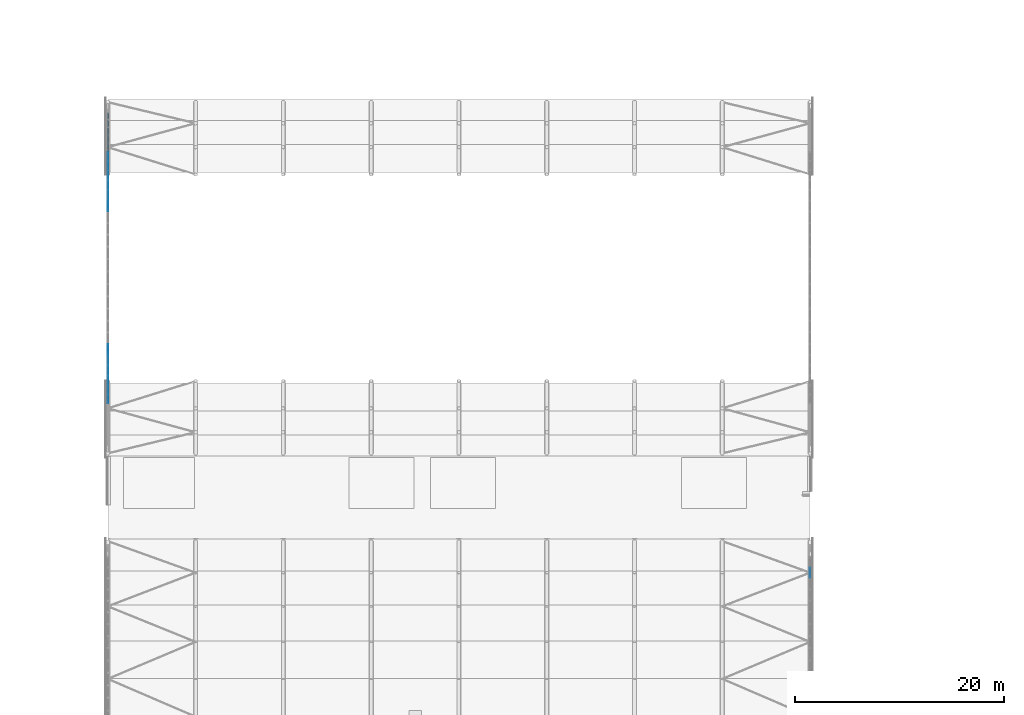
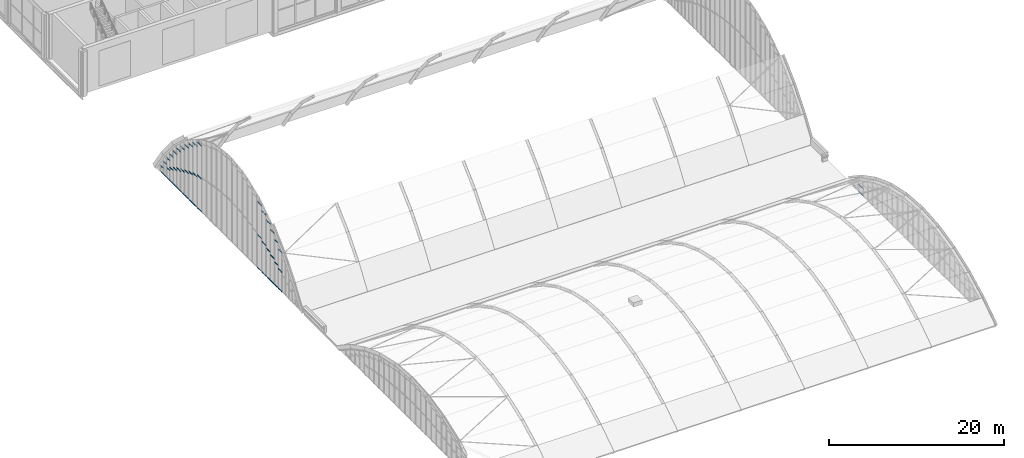
# One storey, part 47 of 77: 51 members, 2 elements without a shape of their own.
"""IFC4 building model written with IfcOpenShell, lengths in metres."""

from ifc_helpers import new_model, si_unit, direction, frame, origin, origin_2d, place, context, subcontext, project, spatial, hollow_rectangle, extrude, material, material_profile, profile_set, type_object, element, aggregate, save


model = new_model("IFC4")

# Units and contexts
model_context = context("Model", 3, precision=1e-05, world=origin(), true_north=direction((0.0, 1.0)))
body_context = subcontext(model_context, "Body", "Model", "MODEL_VIEW")
ifc_project = project(units=[si_unit("LENGTHUNIT", "METRE"), si_unit("AREAUNIT", "SQUARE_METRE"), si_unit("VOLUMEUNIT", "CUBIC_METRE"), si_unit("PLANEANGLEUNIT", "RADIAN"), si_unit("MASSUNIT", "GRAM", prefix="KILO")], contexts=[model_context])

# Site, building, storey
site_placement = place(None, origin())
site = spatial("IfcSite", under=ifc_project, at=site_placement, CompositionType="ELEMENT")
building_placement = place(site_placement, origin())
building = spatial("IfcBuilding", under=site, at=building_placement, Name="Catenary Quay Ferry Terminal", CompositionType="ELEMENT")
storey_placement = place(building_placement, frame((0.0, 0.0, 10.800048828125)))
storey = spatial("IfcBuildingStorey", under=building, at=storey_placement, Name="L02", CompositionType="ELEMENT", Elevation=10.800048828125)

# Curtain wall, members
ifc_material_1 = material(Name="Aluminium and glass", Category="aluminium")
curtain_wall_type = type_object("IfcCurtainWallType", Name="CWA", PredefinedType="NOTDEFINED", material=ifc_material_1)
curtain_wall_1_placement = place(storey_placement, origin())
curtain_wall_1 = element("IfcCurtainWall", 1, at=curtain_wall_1_placement, inside=storey, type_object=curtain_wall_type, Name="Arch arrivals hall curtain wall CW12", PredefinedType="NOTDEFINED")
ifc_material_2 = material(Name="Aluminium", Category="aluminium")
ifc_material_profile = material_profile(ifc_material_2, hollow_rectangle(XDim=0.050048828125, YDim=0.10009765625, WallThickness=0.00390625, at=origin_2d()), Name="TR4")
ifc_profile_set = profile_set([ifc_material_profile], Name="Aluminium")
member_type = type_object("IfcMemberType", Name="TR4", PredefinedType="USERDEFINED", material=ifc_profile_set)
member_1_placement = place(storey_placement, frame((92.39990234375, 97.275390625, 0.050048828125), z_axis=(0.0, 1.0, 0.0), x_axis=(-1.0, 0.0, 0.0)))
member_1 = element("IfcMember", 2, at=member_1_placement, type_object=member_type, Name="CW12 transom 26.1", ObjectType="TRANSOM", PredefinedType="USERDEFINED", context=body_context, shape_type="SweptSolid", body=[
    extrude(hollow_rectangle(XDim=0.050048828125, YDim=0.10009765625, WallThickness=0.00390625, at=origin_2d()), origin(), (0.0, 0.0, 1.0), 0.9794921875),
])
member_2_placement = place(storey_placement, frame((92.39990234375, 97.275390625, 1.0673828125), z_axis=(0.0, 1.0, 0.0), x_axis=(-1.0, 0.0, 0.0)))
member_2 = element("IfcMember", 3, at=member_2_placement, type_object=member_type, Name="CW12 transom 26.2", ObjectType="TRANSOM", PredefinedType="USERDEFINED", context=body_context, shape_type="SweptSolid", body=[
    extrude(hollow_rectangle(XDim=0.050048828125, YDim=0.10009765625, WallThickness=0.00390625, at=origin_2d()), origin(), (0.0, 0.0, 1.0), 0.9794921875),
])
aggregate(curtain_wall_1, [member_1, member_2])

curtain_wall_2_placement = place(storey_placement, origin())
curtain_wall_2 = element("IfcCurtainWall", 4, at=curtain_wall_2_placement, inside=storey, type_object=curtain_wall_type, Name="Arch departure hall curtain wall CW17", PredefinedType="NOTDEFINED")
member_3_placement = place(storey_placement, frame((25.199951171875, 113.973388671875, 0.050048828125), z_axis=(0.0, 1.0, 0.0), x_axis=(-1.0, 0.0, 0.0)))
member_3 = element("IfcMember", 5, at=member_3_placement, type_object=member_type, Name="CW17 transom 6.1", ObjectType="TRANSOM", PredefinedType="USERDEFINED", context=body_context, shape_type="SweptSolid", body=[
    extrude(hollow_rectangle(XDim=0.050048828125, YDim=0.10009765625, WallThickness=0.00390625, at=origin_2d()), origin(), (0.0, 0.0, 1.0), 0.813232421875),
])
member_4_placement = place(storey_placement, frame((25.199951171875, 113.973388671875, 2.7919921875), z_axis=(0.0, 1.0, 0.0), x_axis=(-1.0, 0.0, 0.0)))
member_4 = element("IfcMember", 6, at=member_4_placement, type_object=member_type, Name="CW17 transom 6.2", ObjectType="TRANSOM", PredefinedType="USERDEFINED", context=body_context, shape_type="SweptSolid", body=[
    extrude(hollow_rectangle(XDim=0.050048828125, YDim=0.10009765625, WallThickness=0.00390625, at=origin_2d()), origin(), (0.0, 0.0, 1.0), 0.813232421875),
])
member_5_placement = place(storey_placement, frame((25.199951171875, 113.973388671875, 5.5341796875), z_axis=(0.0, 1.0, 0.0), x_axis=(-1.0, 0.0, 0.0)))
member_5 = element("IfcMember", 7, at=member_5_placement, type_object=member_type, Name="CW17 transom 6.3", ObjectType="TRANSOM", PredefinedType="USERDEFINED", context=body_context, shape_type="SweptSolid", body=[
    extrude(hollow_rectangle(XDim=0.050048828125, YDim=0.10009765625, WallThickness=0.00390625, at=origin_2d()), origin(), (0.0, 0.0, 1.0), 0.813232421875),
])
member_6_placement = place(storey_placement, frame((25.199951171875, 114.846435546875, 0.050048828125), z_axis=(0.0, 1.0, 0.0), x_axis=(-1.0, 0.0, 0.0)))
member_6 = element("IfcMember", 8, at=member_6_placement, type_object=member_type, Name="CW17 transom 7.1", ObjectType="TRANSOM", PredefinedType="USERDEFINED", context=body_context, shape_type="SweptSolid", body=[
    extrude(hollow_rectangle(XDim=0.050048828125, YDim=0.10009765625, WallThickness=0.00390625, at=origin_2d()), origin(), (0.0, 0.0, 1.0), 0.81298828125),
])
member_7_placement = place(storey_placement, frame((25.199951171875, 114.846435546875, 3.201171875), z_axis=(0.0, 1.0, 0.0), x_axis=(-1.0, 0.0, 0.0)))
member_7 = element("IfcMember", 9, at=member_7_placement, type_object=member_type, Name="CW17 transom 7.2", ObjectType="TRANSOM", PredefinedType="USERDEFINED", context=body_context, shape_type="SweptSolid", body=[
    extrude(hollow_rectangle(XDim=0.050048828125, YDim=0.10009765625, WallThickness=0.00390625, at=origin_2d()), origin(), (0.0, 0.0, 1.0), 0.81298828125),
])
member_8_placement = place(storey_placement, frame((25.199951171875, 114.846435546875, 6.3525390625), z_axis=(0.0, 1.0, 0.0), x_axis=(-1.0, 0.0, 0.0)))
member_8 = element("IfcMember", 10, at=member_8_placement, type_object=member_type, Name="CW17 transom 7.3", ObjectType="TRANSOM", PredefinedType="USERDEFINED", context=body_context, shape_type="SweptSolid", body=[
    extrude(hollow_rectangle(XDim=0.050048828125, YDim=0.10009765625, WallThickness=0.00390625, at=origin_2d()), origin(), (0.0, 0.0, 1.0), 0.81298828125),
])
member_9_placement = place(storey_placement, frame((25.199951171875, 115.719482421875, 0.050048828125), z_axis=(0.0, 1.0, 0.0), x_axis=(-1.0, 0.0, 0.0)))
member_9 = element("IfcMember", 11, at=member_9_placement, type_object=member_type, Name="CW17 transom 8.1", ObjectType="TRANSOM", PredefinedType="USERDEFINED", context=body_context, shape_type="SweptSolid", body=[
    extrude(hollow_rectangle(XDim=0.050048828125, YDim=0.10009765625, WallThickness=0.00390625, at=origin_2d()), origin(), (0.0, 0.0, 1.0), 0.873779296875),
])
member_10_placement = place(storey_placement, frame((25.199951171875, 115.719482421875, 3.6103515625), z_axis=(0.0, 1.0, 0.0), x_axis=(-1.0, 0.0, 0.0)))
member_10 = element("IfcMember", 12, at=member_10_placement, type_object=member_type, Name="CW17 transom 8.2", ObjectType="TRANSOM", PredefinedType="USERDEFINED", context=body_context, shape_type="SweptSolid", body=[
    extrude(hollow_rectangle(XDim=0.050048828125, YDim=0.10009765625, WallThickness=0.00390625, at=origin_2d()), origin(), (0.0, 0.0, 1.0), 0.873779296875),
])
member_11_placement = place(storey_placement, frame((25.199951171875, 115.719482421875, 7.1708984375), z_axis=(0.0, 1.0, 0.0), x_axis=(-1.0, 0.0, 0.0)))
member_11 = element("IfcMember", 13, at=member_11_placement, type_object=member_type, Name="CW17 transom 8.3", ObjectType="TRANSOM", PredefinedType="USERDEFINED", context=body_context, shape_type="SweptSolid", body=[
    extrude(hollow_rectangle(XDim=0.050048828125, YDim=0.10009765625, WallThickness=0.00390625, at=origin_2d()), origin(), (0.0, 0.0, 1.0), 0.873779296875),
])
member_12_placement = place(storey_placement, frame((25.199951171875, 116.6533203125, 0.050048828125), z_axis=(0.0, 1.0, 0.0), x_axis=(-1.0, 0.0, 0.0)))
member_12 = element("IfcMember", 14, at=member_12_placement, type_object=member_type, Name="CW17 transom 9.1", ObjectType="TRANSOM", PredefinedType="USERDEFINED", context=body_context, shape_type="SweptSolid", body=[
    extrude(hollow_rectangle(XDim=0.050048828125, YDim=0.10009765625, WallThickness=0.00390625, at=origin_2d()), origin(), (0.0, 0.0, 1.0), 0.9345703125),
])
member_13_placement = place(storey_placement, frame((25.199951171875, 116.6533203125, 3.9814453125), z_axis=(0.0, 1.0, 0.0), x_axis=(-1.0, 0.0, 0.0)))
member_13 = element("IfcMember", 15, at=member_13_placement, type_object=member_type, Name="CW17 transom 9.2", ObjectType="TRANSOM", PredefinedType="USERDEFINED", context=body_context, shape_type="SweptSolid", body=[
    extrude(hollow_rectangle(XDim=0.050048828125, YDim=0.10009765625, WallThickness=0.00390625, at=origin_2d()), origin(), (0.0, 0.0, 1.0), 0.9345703125),
])
member_14_placement = place(storey_placement, frame((25.199951171875, 116.6533203125, 7.912841796875), z_axis=(0.0, 1.0, 0.0), x_axis=(-1.0, 0.0, 0.0)))
member_14 = element("IfcMember", 16, at=member_14_placement, type_object=member_type, Name="CW17 transom 9.3", ObjectType="TRANSOM", PredefinedType="USERDEFINED", context=body_context, shape_type="SweptSolid", body=[
    extrude(hollow_rectangle(XDim=0.050048828125, YDim=0.10009765625, WallThickness=0.00390625, at=origin_2d()), origin(), (0.0, 0.0, 1.0), 0.9345703125),
])
member_15_placement = place(storey_placement, frame((25.199951171875, 117.64794921875, 0.050048828125), z_axis=(0.0, 1.0, 0.0), x_axis=(-1.0, 0.0, 0.0)))
member_15 = element("IfcMember", 17, at=member_15_placement, type_object=member_type, Name="CW17 transom 10.1", ObjectType="TRANSOM", PredefinedType="USERDEFINED", context=body_context, shape_type="SweptSolid", body=[
    extrude(hollow_rectangle(XDim=0.050048828125, YDim=0.10009765625, WallThickness=0.00390625, at=origin_2d()), origin(), (0.0, 0.0, 1.0), 0.934814453125),
])
member_16_placement = place(storey_placement, frame((25.199951171875, 117.64794921875, 4.314208984375), z_axis=(0.0, 1.0, 0.0), x_axis=(-1.0, 0.0, 0.0)))
member_16 = element("IfcMember", 18, at=member_16_placement, type_object=member_type, Name="CW17 transom 10.2", ObjectType="TRANSOM", PredefinedType="USERDEFINED", context=body_context, shape_type="SweptSolid", body=[
    extrude(hollow_rectangle(XDim=0.050048828125, YDim=0.10009765625, WallThickness=0.00390625, at=origin_2d()), origin(), (0.0, 0.0, 1.0), 0.934814453125),
])
member_17_placement = place(storey_placement, frame((25.199951171875, 117.64794921875, 8.578369140625), z_axis=(0.0, 1.0, 0.0), x_axis=(-1.0, 0.0, 0.0)))
member_17 = element("IfcMember", 19, at=member_17_placement, type_object=member_type, Name="CW17 transom 10.3", ObjectType="TRANSOM", PredefinedType="USERDEFINED", context=body_context, shape_type="SweptSolid", body=[
    extrude(hollow_rectangle(XDim=0.050048828125, YDim=0.10009765625, WallThickness=0.00390625, at=origin_2d()), origin(), (0.0, 0.0, 1.0), 0.934814453125),
])
member_18_placement = place(storey_placement, frame((25.199951171875, 118.642578125, 0.050048828125), z_axis=(0.0, 1.0, 0.0), x_axis=(-1.0, 0.0, 0.0)))
member_18 = element("IfcMember", 20, at=member_18_placement, type_object=member_type, Name="CW17 transom 11.1", ObjectType="TRANSOM", PredefinedType="USERDEFINED", context=body_context, shape_type="SweptSolid", body=[
    extrude(hollow_rectangle(XDim=0.050048828125, YDim=0.10009765625, WallThickness=0.00390625, at=origin_2d()), origin(), (0.0, 0.0, 1.0), 0.99267578125),
])
member_19_placement = place(storey_placement, frame((25.199951171875, 118.642578125, 4.64697265625), z_axis=(0.0, 1.0, 0.0), x_axis=(-1.0, 0.0, 0.0)))
member_19 = element("IfcMember", 21, at=member_19_placement, type_object=member_type, Name="CW17 transom 11.2", ObjectType="TRANSOM", PredefinedType="USERDEFINED", context=body_context, shape_type="SweptSolid", body=[
    extrude(hollow_rectangle(XDim=0.050048828125, YDim=0.10009765625, WallThickness=0.00390625, at=origin_2d()), origin(), (0.0, 0.0, 1.0), 0.99267578125),
])
member_20_placement = place(storey_placement, frame((25.199951171875, 118.642578125, 9.244140625), z_axis=(0.0, 1.0, 0.0), x_axis=(-1.0, 0.0, 0.0)))
member_20 = element("IfcMember", 22, at=member_20_placement, type_object=member_type, Name="CW17 transom 11.3", ObjectType="TRANSOM", PredefinedType="USERDEFINED", context=body_context, shape_type="SweptSolid", body=[
    extrude(hollow_rectangle(XDim=0.050048828125, YDim=0.10009765625, WallThickness=0.00390625, at=origin_2d()), origin(), (0.0, 0.0, 1.0), 0.99267578125),
])
member_21_placement = place(storey_placement, frame((25.199951171875, 132.36474609375, 0.050048828125), z_axis=(0.0, 1.0, 0.0), x_axis=(-1.0, 0.0, 0.0)))
member_21 = element("IfcMember", 23, at=member_21_placement, type_object=member_type, Name="CW17 transom 23.1", ObjectType="TRANSOM", PredefinedType="USERDEFINED", context=body_context, shape_type="SweptSolid", body=[
    extrude(hollow_rectangle(XDim=0.050048828125, YDim=0.10009765625, WallThickness=0.00390625, at=origin_2d()), origin(), (0.0, 0.0, 1.0), 0.99267578125),
])
member_22_placement = place(storey_placement, frame((25.199951171875, 132.36474609375, 4.64697265625), z_axis=(0.0, 1.0, 0.0), x_axis=(-1.0, 0.0, 0.0)))
member_22 = element("IfcMember", 24, at=member_22_placement, type_object=member_type, Name="CW17 transom 23.2", ObjectType="TRANSOM", PredefinedType="USERDEFINED", context=body_context, shape_type="SweptSolid", body=[
    extrude(hollow_rectangle(XDim=0.050048828125, YDim=0.10009765625, WallThickness=0.00390625, at=origin_2d()), origin(), (0.0, 0.0, 1.0), 0.99267578125),
])
member_23_placement = place(storey_placement, frame((25.199951171875, 132.36474609375, 9.244140625), z_axis=(0.0, 1.0, 0.0), x_axis=(-1.0, 0.0, 0.0)))
member_23 = element("IfcMember", 25, at=member_23_placement, type_object=member_type, Name="CW17 transom 23.3", ObjectType="TRANSOM", PredefinedType="USERDEFINED", context=body_context, shape_type="SweptSolid", body=[
    extrude(hollow_rectangle(XDim=0.050048828125, YDim=0.10009765625, WallThickness=0.00390625, at=origin_2d()), origin(), (0.0, 0.0, 1.0), 0.99267578125),
])
member_24_placement = place(storey_placement, frame((25.199951171875, 133.417236328125, 0.050048828125), z_axis=(0.0, 1.0, 0.0), x_axis=(-1.0, 0.0, 0.0)))
member_24 = element("IfcMember", 26, at=member_24_placement, type_object=member_type, Name="CW17 transom 24.1", ObjectType="TRANSOM", PredefinedType="USERDEFINED", context=body_context, shape_type="SweptSolid", body=[
    extrude(hollow_rectangle(XDim=0.050048828125, YDim=0.10009765625, WallThickness=0.00390625, at=origin_2d()), origin(), (0.0, 0.0, 1.0), 0.934814453125),
])
member_25_placement = place(storey_placement, frame((25.199951171875, 133.417236328125, 4.314208984375), z_axis=(0.0, 1.0, 0.0), x_axis=(-1.0, 0.0, 0.0)))
member_25 = element("IfcMember", 27, at=member_25_placement, type_object=member_type, Name="CW17 transom 24.2", ObjectType="TRANSOM", PredefinedType="USERDEFINED", context=body_context, shape_type="SweptSolid", body=[
    extrude(hollow_rectangle(XDim=0.050048828125, YDim=0.10009765625, WallThickness=0.00390625, at=origin_2d()), origin(), (0.0, 0.0, 1.0), 0.934814453125),
])
member_26_placement = place(storey_placement, frame((25.199951171875, 133.417236328125, 8.578369140625), z_axis=(0.0, 1.0, 0.0), x_axis=(-1.0, 0.0, 0.0)))
member_26 = element("IfcMember", 28, at=member_26_placement, type_object=member_type, Name="CW17 transom 24.3", ObjectType="TRANSOM", PredefinedType="USERDEFINED", context=body_context, shape_type="SweptSolid", body=[
    extrude(hollow_rectangle(XDim=0.050048828125, YDim=0.10009765625, WallThickness=0.00390625, at=origin_2d()), origin(), (0.0, 0.0, 1.0), 0.934814453125),
])
member_27_placement = place(storey_placement, frame((25.199951171875, 134.412109375, 0.050048828125), z_axis=(0.0, 1.0, 0.0), x_axis=(-1.0, 0.0, 0.0)))
member_27 = element("IfcMember", 29, at=member_27_placement, type_object=member_type, Name="CW17 transom 25.1", ObjectType="TRANSOM", PredefinedType="USERDEFINED", context=body_context, shape_type="SweptSolid", body=[
    extrude(hollow_rectangle(XDim=0.050048828125, YDim=0.10009765625, WallThickness=0.00390625, at=origin_2d()), origin(), (0.0, 0.0, 1.0), 0.9345703125),
])
member_28_placement = place(storey_placement, frame((25.199951171875, 134.412109375, 3.9814453125), z_axis=(0.0, 1.0, 0.0), x_axis=(-1.0, 0.0, 0.0)))
member_28 = element("IfcMember", 30, at=member_28_placement, type_object=member_type, Name="CW17 transom 25.2", ObjectType="TRANSOM", PredefinedType="USERDEFINED", context=body_context, shape_type="SweptSolid", body=[
    extrude(hollow_rectangle(XDim=0.050048828125, YDim=0.10009765625, WallThickness=0.00390625, at=origin_2d()), origin(), (0.0, 0.0, 1.0), 0.9345703125),
])
member_29_placement = place(storey_placement, frame((25.199951171875, 134.412109375, 7.912841796875), z_axis=(0.0, 1.0, 0.0), x_axis=(-1.0, 0.0, 0.0)))
member_29 = element("IfcMember", 31, at=member_29_placement, type_object=member_type, Name="CW17 transom 25.3", ObjectType="TRANSOM", PredefinedType="USERDEFINED", context=body_context, shape_type="SweptSolid", body=[
    extrude(hollow_rectangle(XDim=0.050048828125, YDim=0.10009765625, WallThickness=0.00390625, at=origin_2d()), origin(), (0.0, 0.0, 1.0), 0.9345703125),
])
member_30_placement = place(storey_placement, frame((25.199951171875, 135.40673828125, 0.050048828125), z_axis=(0.0, 1.0, 0.0), x_axis=(-1.0, 0.0, 0.0)))
member_30 = element("IfcMember", 32, at=member_30_placement, type_object=member_type, Name="CW17 transom 26.1", ObjectType="TRANSOM", PredefinedType="USERDEFINED", context=body_context, shape_type="SweptSolid", body=[
    extrude(hollow_rectangle(XDim=0.050048828125, YDim=0.10009765625, WallThickness=0.00390625, at=origin_2d()), origin(), (0.0, 0.0, 1.0), 0.873779296875),
])
member_31_placement = place(storey_placement, frame((25.199951171875, 135.40673828125, 3.6103515625), z_axis=(0.0, 1.0, 0.0), x_axis=(-1.0, 0.0, 0.0)))
member_31 = element("IfcMember", 33, at=member_31_placement, type_object=member_type, Name="CW17 transom 26.2", ObjectType="TRANSOM", PredefinedType="USERDEFINED", context=body_context, shape_type="SweptSolid", body=[
    extrude(hollow_rectangle(XDim=0.050048828125, YDim=0.10009765625, WallThickness=0.00390625, at=origin_2d()), origin(), (0.0, 0.0, 1.0), 0.873779296875),
])
member_32_placement = place(storey_placement, frame((25.199951171875, 135.40673828125, 7.1708984375), z_axis=(0.0, 1.0, 0.0), x_axis=(-1.0, 0.0, 0.0)))
member_32 = element("IfcMember", 34, at=member_32_placement, type_object=member_type, Name="CW17 transom 26.3", ObjectType="TRANSOM", PredefinedType="USERDEFINED", context=body_context, shape_type="SweptSolid", body=[
    extrude(hollow_rectangle(XDim=0.050048828125, YDim=0.10009765625, WallThickness=0.00390625, at=origin_2d()), origin(), (0.0, 0.0, 1.0), 0.873779296875),
])
member_33_placement = place(storey_placement, frame((25.199951171875, 136.340576171875, 0.050048828125), z_axis=(0.0, 1.0, 0.0), x_axis=(-1.0, 0.0, 0.0)))
member_33 = element("IfcMember", 35, at=member_33_placement, type_object=member_type, Name="CW17 transom 27.1", ObjectType="TRANSOM", PredefinedType="USERDEFINED", context=body_context, shape_type="SweptSolid", body=[
    extrude(hollow_rectangle(XDim=0.050048828125, YDim=0.10009765625, WallThickness=0.00390625, at=origin_2d()), origin(), (0.0, 0.0, 1.0), 0.81298828125),
])
member_34_placement = place(storey_placement, frame((25.199951171875, 136.340576171875, 3.201171875), z_axis=(0.0, 1.0, 0.0), x_axis=(-1.0, 0.0, 0.0)))
member_34 = element("IfcMember", 36, at=member_34_placement, type_object=member_type, Name="CW17 transom 27.2", ObjectType="TRANSOM", PredefinedType="USERDEFINED", context=body_context, shape_type="SweptSolid", body=[
    extrude(hollow_rectangle(XDim=0.050048828125, YDim=0.10009765625, WallThickness=0.00390625, at=origin_2d()), origin(), (0.0, 0.0, 1.0), 0.81298828125),
])
member_35_placement = place(storey_placement, frame((25.199951171875, 136.340576171875, 6.3525390625), z_axis=(0.0, 1.0, 0.0), x_axis=(-1.0, 0.0, 0.0)))
member_35 = element("IfcMember", 37, at=member_35_placement, type_object=member_type, Name="CW17 transom 27.3", ObjectType="TRANSOM", PredefinedType="USERDEFINED", context=body_context, shape_type="SweptSolid", body=[
    extrude(hollow_rectangle(XDim=0.050048828125, YDim=0.10009765625, WallThickness=0.00390625, at=origin_2d()), origin(), (0.0, 0.0, 1.0), 0.81298828125),
])
member_36_placement = place(storey_placement, frame((25.199951171875, 137.21337890625, 0.050048828125), z_axis=(0.0, 1.0, 0.0), x_axis=(-1.0, 0.0, 0.0)))
member_36 = element("IfcMember", 38, at=member_36_placement, type_object=member_type, Name="CW17 transom 28.1", ObjectType="TRANSOM", PredefinedType="USERDEFINED", context=body_context, shape_type="SweptSolid", body=[
    extrude(hollow_rectangle(XDim=0.050048828125, YDim=0.10009765625, WallThickness=0.00390625, at=origin_2d()), origin(), (0.0, 0.0, 1.0), 0.813232421875),
])
member_37_placement = place(storey_placement, frame((25.199951171875, 137.21337890625, 2.7919921875), z_axis=(0.0, 1.0, 0.0), x_axis=(-1.0, 0.0, 0.0)))
member_37 = element("IfcMember", 39, at=member_37_placement, type_object=member_type, Name="CW17 transom 28.2", ObjectType="TRANSOM", PredefinedType="USERDEFINED", context=body_context, shape_type="SweptSolid", body=[
    extrude(hollow_rectangle(XDim=0.050048828125, YDim=0.10009765625, WallThickness=0.00390625, at=origin_2d()), origin(), (0.0, 0.0, 1.0), 0.813232421875),
])
member_38_placement = place(storey_placement, frame((25.199951171875, 137.21337890625, 5.5341796875), z_axis=(0.0, 1.0, 0.0), x_axis=(-1.0, 0.0, 0.0)))
member_38 = element("IfcMember", 40, at=member_38_placement, type_object=member_type, Name="CW17 transom 28.3", ObjectType="TRANSOM", PredefinedType="USERDEFINED", context=body_context, shape_type="SweptSolid", body=[
    extrude(hollow_rectangle(XDim=0.050048828125, YDim=0.10009765625, WallThickness=0.00390625, at=origin_2d()), origin(), (0.0, 0.0, 1.0), 0.813232421875),
])
member_39_placement = place(storey_placement, frame((25.199951171875, 138.08642578125, 0.050048828125), z_axis=(0.0, 1.0, 0.0), x_axis=(-1.0, 0.0, 0.0)))
member_39 = element("IfcMember", 41, at=member_39_placement, type_object=member_type, Name="CW17 transom 29.1", ObjectType="TRANSOM", PredefinedType="USERDEFINED", context=body_context, shape_type="SweptSolid", body=[
    extrude(hollow_rectangle(XDim=0.050048828125, YDim=0.10009765625, WallThickness=0.00390625, at=origin_2d()), origin(), (0.0, 0.0, 1.0), 0.758544921875),
])
member_40_placement = place(storey_placement, frame((25.199951171875, 138.08642578125, 2.357177734375), z_axis=(0.0, 1.0, 0.0), x_axis=(-1.0, 0.0, 0.0)))
member_40 = element("IfcMember", 42, at=member_40_placement, type_object=member_type, Name="CW17 transom 29.2", ObjectType="TRANSOM", PredefinedType="USERDEFINED", context=body_context, shape_type="SweptSolid", body=[
    extrude(hollow_rectangle(XDim=0.050048828125, YDim=0.10009765625, WallThickness=0.00390625, at=origin_2d()), origin(), (0.0, 0.0, 1.0), 0.758544921875),
])
member_41_placement = place(storey_placement, frame((25.199951171875, 138.08642578125, 4.664306640625), z_axis=(0.0, 1.0, 0.0), x_axis=(-1.0, 0.0, 0.0)))
member_41 = element("IfcMember", 43, at=member_41_placement, type_object=member_type, Name="CW17 transom 29.3", ObjectType="TRANSOM", PredefinedType="USERDEFINED", context=body_context, shape_type="SweptSolid", body=[
    extrude(hollow_rectangle(XDim=0.050048828125, YDim=0.10009765625, WallThickness=0.00390625, at=origin_2d()), origin(), (0.0, 0.0, 1.0), 0.758544921875),
])
member_42_placement = place(storey_placement, frame((25.199951171875, 138.905029296875, 0.050048828125), z_axis=(0.0, 1.0, 0.0), x_axis=(-1.0, 0.0, 0.0)))
member_42 = element("IfcMember", 44, at=member_42_placement, type_object=member_type, Name="CW17 transom 30.1", ObjectType="TRANSOM", PredefinedType="USERDEFINED", context=body_context, shape_type="SweptSolid", body=[
    extrude(hollow_rectangle(XDim=0.050048828125, YDim=0.10009765625, WallThickness=0.00390625, at=origin_2d()), origin(), (0.0, 0.0, 1.0), 0.703857421875),
])
member_43_placement = place(storey_placement, frame((25.199951171875, 138.905029296875, 1.896484375), z_axis=(0.0, 1.0, 0.0), x_axis=(-1.0, 0.0, 0.0)))
member_43 = element("IfcMember", 45, at=member_43_placement, type_object=member_type, Name="CW17 transom 30.2", ObjectType="TRANSOM", PredefinedType="USERDEFINED", context=body_context, shape_type="SweptSolid", body=[
    extrude(hollow_rectangle(XDim=0.050048828125, YDim=0.10009765625, WallThickness=0.00390625, at=origin_2d()), origin(), (0.0, 0.0, 1.0), 0.703857421875),
])
member_44_placement = place(storey_placement, frame((25.199951171875, 138.905029296875, 3.742919921875), z_axis=(0.0, 1.0, 0.0), x_axis=(-1.0, 0.0, 0.0)))
member_44 = element("IfcMember", 46, at=member_44_placement, type_object=member_type, Name="CW17 transom 30.3", ObjectType="TRANSOM", PredefinedType="USERDEFINED", context=body_context, shape_type="SweptSolid", body=[
    extrude(hollow_rectangle(XDim=0.050048828125, YDim=0.10009765625, WallThickness=0.00390625, at=origin_2d()), origin(), (0.0, 0.0, 1.0), 0.703857421875),
])
member_45_placement = place(storey_placement, frame((25.199951171875, 139.6689453125, 0.050048828125), z_axis=(0.0, 1.0, 0.0), x_axis=(-1.0, 0.0, 0.0)))
member_45 = element("IfcMember", 47, at=member_45_placement, type_object=member_type, Name="CW17 transom 31.1", ObjectType="TRANSOM", PredefinedType="USERDEFINED", context=body_context, shape_type="SweptSolid", body=[
    extrude(hollow_rectangle(XDim=0.050048828125, YDim=0.10009765625, WallThickness=0.00390625, at=origin_2d()), origin(), (0.0, 0.0, 1.0), 0.7041015625),
])
member_46_placement = place(storey_placement, frame((25.199951171875, 139.6689453125, 1.435791015625), z_axis=(0.0, 1.0, 0.0), x_axis=(-1.0, 0.0, 0.0)))
member_46 = element("IfcMember", 48, at=member_46_placement, type_object=member_type, Name="CW17 transom 31.2", ObjectType="TRANSOM", PredefinedType="USERDEFINED", context=body_context, shape_type="SweptSolid", body=[
    extrude(hollow_rectangle(XDim=0.050048828125, YDim=0.10009765625, WallThickness=0.00390625, at=origin_2d()), origin(), (0.0, 0.0, 1.0), 0.7041015625),
])
member_47_placement = place(storey_placement, frame((25.199951171875, 139.6689453125, 2.821533203125), z_axis=(0.0, 1.0, 0.0), x_axis=(-1.0, 0.0, 0.0)))
member_47 = element("IfcMember", 49, at=member_47_placement, type_object=member_type, Name="CW17 transom 31.3", ObjectType="TRANSOM", PredefinedType="USERDEFINED", context=body_context, shape_type="SweptSolid", body=[
    extrude(hollow_rectangle(XDim=0.050048828125, YDim=0.10009765625, WallThickness=0.00390625, at=origin_2d()), origin(), (0.0, 0.0, 1.0), 0.7041015625),
])
member_48_placement = place(storey_placement, frame((25.199951171875, 140.43310546875, 0.050048828125), z_axis=(0.0, 1.0, 0.0), x_axis=(-1.0, 0.0, 0.0)))
member_48 = element("IfcMember", 50, at=member_48_placement, type_object=member_type, Name="CW17 transom 32.1", ObjectType="TRANSOM", PredefinedType="USERDEFINED", context=body_context, shape_type="SweptSolid", body=[
    extrude(hollow_rectangle(XDim=0.050048828125, YDim=0.10009765625, WallThickness=0.00390625, at=origin_2d()), origin(), (0.0, 0.0, 1.0), 0.65771484375),
])
member_49_placement = place(storey_placement, frame((25.199951171875, 140.43310546875, 1.86572265625), z_axis=(0.0, 1.0, 0.0), x_axis=(-1.0, 0.0, 0.0)))
member_49 = element("IfcMember", 51, at=member_49_placement, type_object=member_type, Name="CW17 transom 32.2", ObjectType="TRANSOM", PredefinedType="USERDEFINED", context=body_context, shape_type="SweptSolid", body=[
    extrude(hollow_rectangle(XDim=0.050048828125, YDim=0.10009765625, WallThickness=0.00390625, at=origin_2d()), origin(), (0.0, 0.0, 1.0), 0.65771484375),
])
member_50_placement = place(storey_placement, frame((25.199951171875, 141.15087890625, 0.050048828125), z_axis=(0.0, 1.0, 0.0), x_axis=(-1.0, 0.0, 0.0)))
member_50 = element("IfcMember", 52, at=member_50_placement, type_object=member_type, Name="CW17 transom 33.1", ObjectType="TRANSOM", PredefinedType="USERDEFINED", context=body_context, shape_type="SweptSolid", body=[
    extrude(hollow_rectangle(XDim=0.050048828125, YDim=0.10009765625, WallThickness=0.00390625, at=origin_2d()), origin(), (0.0, 0.0, 1.0), 0.611572265625),
])
member_51_placement = place(storey_placement, frame((25.199951171875, 141.15087890625, 0.87548828125), z_axis=(0.0, 1.0, 0.0), x_axis=(-1.0, 0.0, 0.0)))
member_51 = element("IfcMember", 53, at=member_51_placement, type_object=member_type, Name="CW17 transom 33.2", ObjectType="TRANSOM", PredefinedType="USERDEFINED", context=body_context, shape_type="SweptSolid", body=[
    extrude(hollow_rectangle(XDim=0.050048828125, YDim=0.10009765625, WallThickness=0.00390625, at=origin_2d()), origin(), (0.0, 0.0, 1.0), 0.611572265625),
])
aggregate(curtain_wall_2, [member_3, member_4, member_5, member_6, member_7, member_8, member_9, member_10, member_11, member_12, member_13, member_14, member_15, member_16, member_17, member_18, member_19, member_20, member_21, member_22, member_23, member_24, member_25, member_26, member_27, member_28, member_29, member_30, member_31, member_32, member_33, member_34, member_35, member_36, member_37, member_38, member_39, member_40, member_41, member_42, member_43, member_44, member_45, member_46, member_47, member_48, member_49, member_50, member_51])

save(model, "model.ifc")
